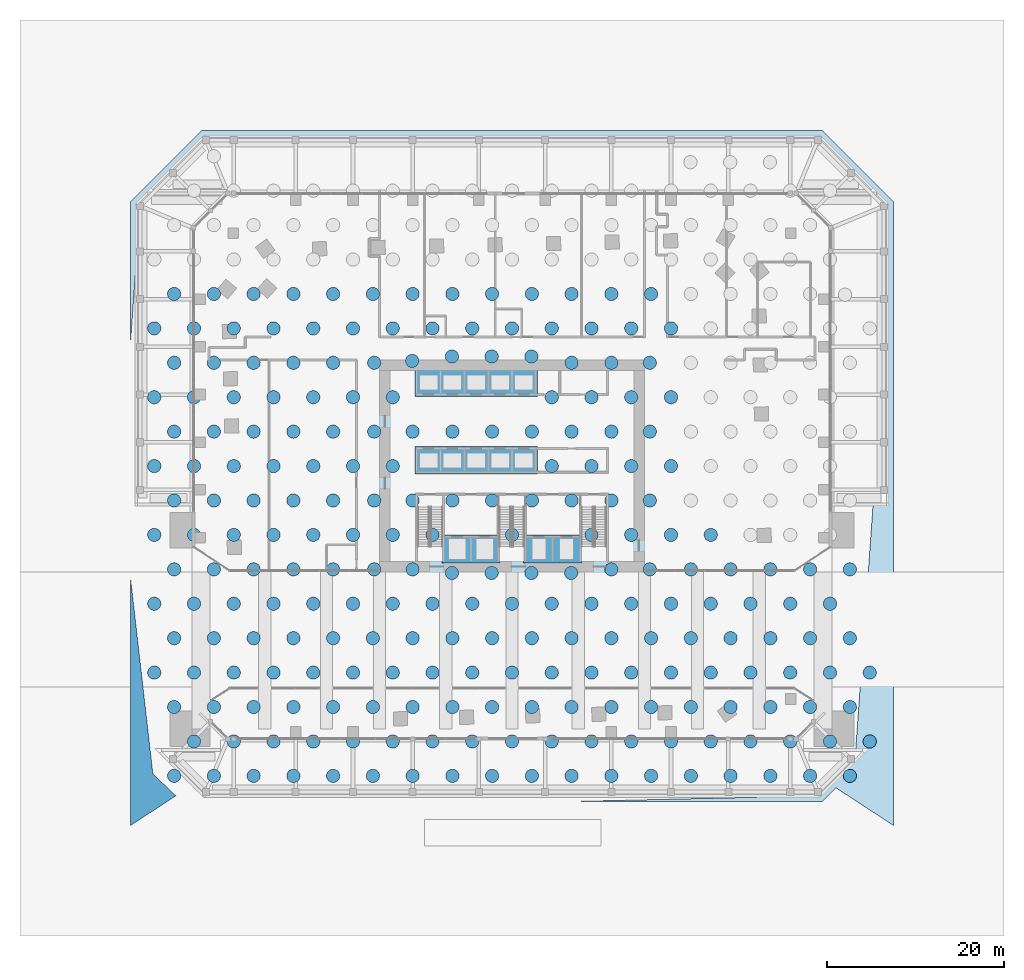
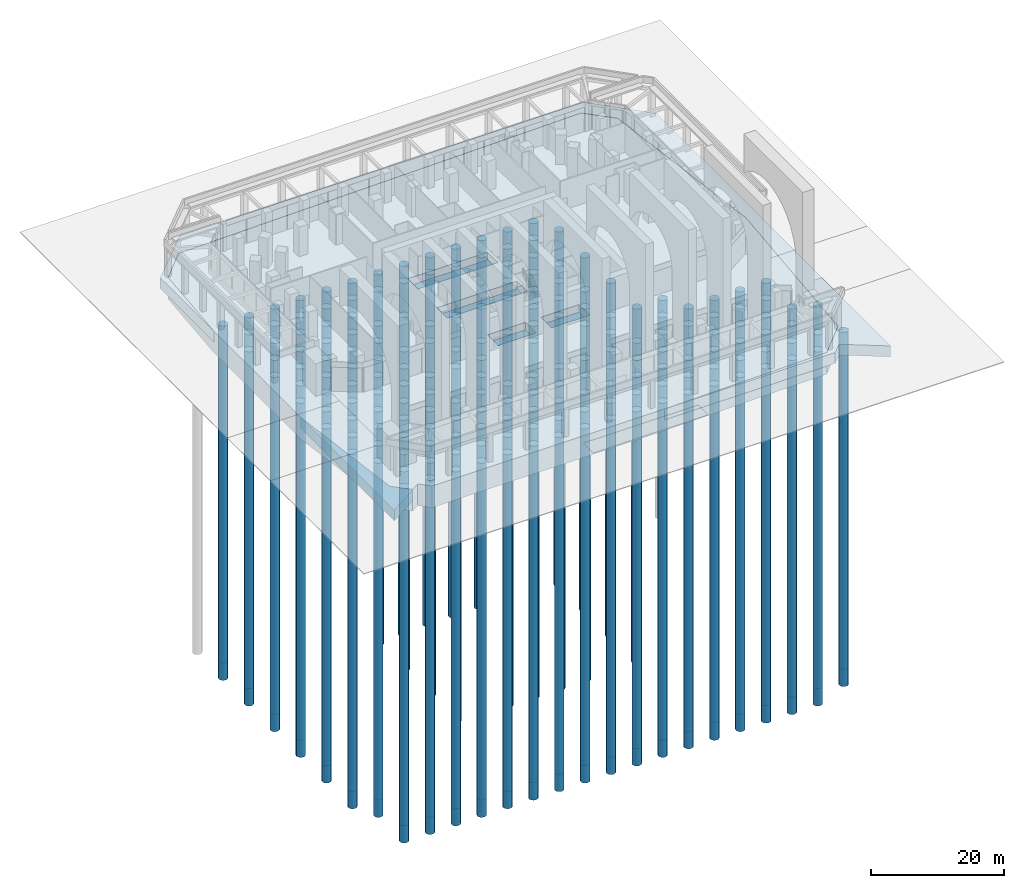
# One storey, part 1 of 46: 228 piles, 7 footings.
"""IFC4 building model written with IfcOpenShell, lengths in metres."""

from ifc_helpers import new_model, si_unit, direction, frame, origin, origin_2d, place, context, subcontext, project, spatial, polyline, circle, outline, extrude, material, layer, layer_set, material_profile, profile_set, type_object, element, save


model = new_model("IFC4")

# Units and contexts
model_context = context("Model", 3, precision=1e-05, world=origin(), true_north=direction((0.0, 1.0)))
body_context = subcontext(model_context, "Body", "Model", "MODEL_VIEW")
ifc_project = project(units=[si_unit("LENGTHUNIT", "METRE"), si_unit("AREAUNIT", "SQUARE_METRE"), si_unit("VOLUMEUNIT", "CUBIC_METRE"), si_unit("PLANEANGLEUNIT", "RADIAN"), si_unit("MASSUNIT", "GRAM", prefix="KILO")], contexts=[model_context])

# Site, building, storey
site_placement = place(None, origin())
site = spatial("IfcSite", under=ifc_project, at=site_placement, CompositionType="ELEMENT")
building_placement = place(site_placement, origin())
building = spatial("IfcBuilding", under=site, at=building_placement, Name="Mangrove Gate Tower", CompositionType="ELEMENT")
storey_placement = place(building_placement, origin())
storey = spatial("IfcBuildingStorey", under=building, at=storey_placement, Name="L00", CompositionType="ELEMENT", Elevation=0.0)

# Piles
ifc_material_1 = material(Name="Concrete C40/50", Category="concrete")
ifc_material_profile = material_profile(ifc_material_1, circle(Radius=0.75, at=origin_2d()))
ifc_profile_set = profile_set([ifc_material_profile], Name="Concrete C40/50")
pile_type = type_object("IfcPileType", Name="Bored pile D1500 C40/50", PredefinedType="BORED", material=ifc_profile_set)
for number, where, z_axis, x_axis, name in (
    (1, (-38.25, -35.073974609375, -4.14990234375), (0.0, 0.0, -1.0), (1.0, 0.0, 0.0), "Bored pile T091091"),
    (2, (-33.75, -35.073974609375, -4.14990234375), (0.0, 0.0, -1.0), (1.0, 0.0, 0.0), "Bored pile T092091"),
    (3, (-29.25, -35.073974609375, -4.14990234375), (0.0, 0.0, -1.0), (1.0, 0.0, 0.0), "Bored pile T093091"),
    (4, (-24.75, -35.073974609375, -4.14990234375), (0.0, 0.0, -1.0), (1.0, 0.0, 0.0), "Bored pile T094091"),
    (5, (-20.25, -35.073974609375, -4.14990234375), (0.0, 0.0, -1.0), (1.0, 0.0, 0.0), "Bored pile T095091"),
    (6, (-15.75, -35.073974609375, -4.14990234375), (0.0, 0.0, -1.0), (1.0, 0.0, 0.0), "Bored pile T096091"),
    (7, (-11.25, -35.073974609375, -4.14990234375), (0.0, 0.0, -1.0), (1.0, 0.0, 0.0), "Bored pile T097091"),
    (8, (-6.75, -35.073974609375, -4.14990234375), (0.0, 0.0, -1.0), (1.0, 0.0, 0.0), "Bored pile T098091"),
    (9, (-2.25, -35.073974609375, -4.14990234375), (0.0, 0.0, -1.0), (1.0, 0.0, 0.0), "Bored pile T099091"),
    (10, (2.25, -35.073974609375, -4.14990234375), (0.0, 0.0, -1.0), (1.0, 0.0, 0.0), "Bored pile T100091"),
    (11, (6.75, -35.073974609375, -4.14990234375), (0.0, 0.0, -1.0), (1.0, 0.0, 0.0), "Bored pile T101091"),
    (12, (11.25, -35.073974609375, -4.14990234375), (0.0, 0.0, -1.0), (1.0, 0.0, 0.0), "Bored pile T102091"),
    (13, (15.75, -35.073974609375, -4.14990234375), (0.0, 0.0, -1.0), (1.0, 0.0, 0.0), "Bored pile T103091"),
    (14, (20.25, -35.073974609375, -4.14990234375), (0.0, 0.0, -1.0), (1.0, 0.0, 0.0), "Bored pile T104091"),
    (15, (24.75, -35.073974609375, -4.14990234375), (0.0, 0.0, -1.0), (1.0, 0.0, 0.0), "Bored pile T105091"),
    (16, (29.25, -35.073974609375, -4.14990234375), (0.0, 0.0, -1.0), (1.0, 0.0, 0.0), "Bored pile T106091"),
    (17, (33.75, -35.073974609375, -4.14990234375), (0.0, 0.0, -1.0), (1.0, 0.0, 0.0), "Bored pile T107091"),
    (18, (-36.0, -31.177001953125, -4.14990234375), (0.0, 0.0, -1.0), (1.0, 0.0, 0.0), "Bored pile T092092"),
    (19, (-31.5, -31.177001953125, -4.14990234375), (0.0, 0.0, -1.0), (1.0, 0.0, 0.0), "Bored pile T093092"),
    (20, (-27.0, -31.177001953125, -4.14990234375), (0.0, 0.0, -1.0), (1.0, 0.0, 0.0), "Bored pile T094092"),
    (21, (-22.5, -31.177001953125, -4.14990234375), (0.0, 0.0, -1.0), (1.0, 0.0, 0.0), "Bored pile T095092"),
    (22, (-18.0, -31.177001953125, -4.14990234375), (0.0, 0.0, -1.0), (1.0, 0.0, 0.0), "Bored pile T096092"),
    (23, (-13.5, -31.177001953125, -4.14990234375), (0.0, 0.0, -1.0), (1.0, 0.0, 0.0), "Bored pile T097092"),
    (24, (-9.0, -31.177001953125, -4.14990234375), (0.0, 0.0, -1.0), (1.0, 0.0, 0.0), "Bored pile T098092"),
    (25, (-4.5, -31.177001953125, -4.14990234375), (0.0, 0.0, -1.0), (1.0, 0.0, 0.0), "Bored pile T099092"),
    (26, (0.0, -31.177001953125, -4.14990234375), (0.0, 0.0, -1.0), (1.0, 0.0, 0.0), "Bored pile T100092"),
    (27, (4.5, -31.177001953125, -4.14990234375), (0.0, 0.0, -1.0), (1.0, 0.0, 0.0), "Bored pile T101092"),
    (28, (9.0, -31.177001953125, -4.14990234375), (0.0, 0.0, -1.0), (1.0, 0.0, 0.0), "Bored pile T102092"),
    (29, (13.5, -31.177001953125, -4.14990234375), (0.0, 0.0, -1.0), (1.0, 0.0, 0.0), "Bored pile T103092"),
    (30, (18.0, -31.177001953125, -4.14990234375), (0.0, 0.0, -1.0), (1.0, 0.0, 0.0), "Bored pile T104092"),
    (31, (22.5, -31.177001953125, -4.14990234375), (0.0, 0.0, -1.0), (1.0, 0.0, 0.0), "Bored pile T105092"),
    (32, (27.0, -31.177001953125, -4.14990234375), (0.0, 0.0, -1.0), (1.0, 0.0, 0.0), "Bored pile T106092"),
    (33, (31.5, -31.177001953125, -4.14990234375), (0.0, 0.0, -1.0), (1.0, 0.0, 0.0), "Bored pile T107092"),
    (34, (36.0, -31.177001953125, -4.14990234375), (0.0, 0.0, -1.0), (1.0, 0.0, 0.0), "Bored pile T108092"),
    (35, (-38.25, -27.27978515625, -4.14990234375), (0.0, 0.0, -1.0), (1.0, 0.0, 0.0), "Bored pile T091093"),
    (36, (-33.75, -27.27978515625, -4.14990234375), (0.0, 0.0, -1.0), (1.0, 0.0, 0.0), "Bored pile T092093"),
    (37, (-29.25, -27.27978515625, -4.14990234375), (0.0, 0.0, -1.0), (1.0, 0.0, 0.0), "Bored pile T093093"),
    (38, (-24.75, -27.27978515625, -4.14990234375), (0.0, 0.0, -1.0), (1.0, 0.0, 0.0), "Bored pile T094093"),
    (39, (-20.25, -27.27978515625, -4.14990234375), (0.0, 0.0, -1.0), (1.0, 0.0, 0.0), "Bored pile T095093"),
    (40, (-15.75, -27.27978515625, -4.14990234375), (0.0, 0.0, -1.0), (1.0, 0.0, 0.0), "Bored pile T096093"),
    (41, (-11.25, -27.27978515625, -4.14990234375), (0.0, 0.0, -1.0), (1.0, 0.0, 0.0), "Bored pile T097093"),
    (42, (-6.75, -27.27978515625, -4.14990234375), (0.0, 0.0, -1.0), (1.0, 0.0, 0.0), "Bored pile T098093"),
    (43, (-2.25, -27.27978515625, -4.14990234375), (0.0, 0.0, -1.0), (1.0, 0.0, 0.0), "Bored pile T099093"),
    (44, (2.25, -27.27978515625, -4.14990234375), (0.0, 0.0, -1.0), (1.0, 0.0, 0.0), "Bored pile T100093"),
    (45, (6.75, -27.27978515625, -4.14990234375), (0.0, 0.0, -1.0), (1.0, 0.0, 0.0), "Bored pile T101093"),
    (46, (11.25, -27.27978515625, -4.14990234375), (0.0, 0.0, -1.0), (1.0, 0.0, 0.0), "Bored pile T102093"),
    (47, (15.75, -27.27978515625, -4.14990234375), (0.0, 0.0, -1.0), (1.0, 0.0, 0.0), "Bored pile T103093"),
    (48, (20.25, -27.27978515625, -4.14990234375), (0.0, 0.0, -1.0), (1.0, 0.0, 0.0), "Bored pile T104093"),
    (49, (24.75, -27.27978515625, -4.14990234375), (0.0, 0.0, -1.0), (1.0, 0.0, 0.0), "Bored pile T105093"),
    (50, (29.25, -27.27978515625, -4.14990234375), (0.0, 0.0, -1.0), (1.0, 0.0, 0.0), "Bored pile T106093"),
    (51, (33.75, -27.27978515625, -4.14990234375), (0.0, 0.0, -1.0), (1.0, 0.0, 0.0), "Bored pile T107093"),
    (52, (38.25, -27.27978515625, -4.14990234375), (0.0, 0.0, -1.0), (1.0, 0.0, 0.0), "Bored pile T108093"),
    (53, (-40.5, -23.382568359375, -4.14990234375), (0.0, 0.0, -1.0), (1.0, 0.0, 0.0), "Bored pile T091094"),
    (54, (-36.0, -23.382568359375, -4.14990234375), (0.0, 0.0, -1.0), (1.0, 0.0, 0.0), "Bored pile T092094"),
    (55, (-31.5, -23.382568359375, -4.14990234375), (0.0, 0.0, -1.0), (1.0, 0.0, 0.0), "Bored pile T093094"),
    (56, (-27.0, -23.382568359375, -4.14990234375), (0.0, 0.0, -1.0), (1.0, 0.0, 0.0), "Bored pile T094094"),
    (57, (-22.5, -23.382568359375, -4.14990234375), (0.0, 0.0, -1.0), (1.0, 0.0, 0.0), "Bored pile T095094"),
    (58, (-18.0, -23.382568359375, -4.14990234375), (0.0, 0.0, -1.0), (1.0, 0.0, 0.0), "Bored pile T096094"),
    (59, (-13.5, -23.382568359375, -4.14990234375), (0.0, 0.0, -1.0), (1.0, 0.0, 0.0), "Bored pile T097094"),
    (60, (-9.0, -23.382568359375, -4.14990234375), (0.0, 0.0, -1.0), (1.0, 0.0, 0.0), "Bored pile T098094"),
    (61, (-4.5, -23.382568359375, -4.14990234375), (0.0, 0.0, -1.0), (1.0, 0.0, 0.0), "Bored pile T099094"),
    (62, (0.0, -23.382568359375, -4.14990234375), (0.0, 0.0, -1.0), (1.0, 0.0, 0.0), "Bored pile T100094"),
    (63, (4.5, -23.382568359375, -4.14990234375), (0.0, 0.0, -1.0), (1.0, 0.0, 0.0), "Bored pile T101094"),
    (64, (9.0, -23.382568359375, -4.14990234375), (0.0, 0.0, -1.0), (1.0, 0.0, 0.0), "Bored pile T102094"),
    (65, (13.5, -23.382568359375, -4.14990234375), (0.0, 0.0, -1.0), (1.0, 0.0, 0.0), "Bored pile T103094"),
    (66, (18.0, -23.382568359375, -4.14990234375), (0.0, 0.0, -1.0), (1.0, 0.0, 0.0), "Bored pile T104094"),
    (67, (22.5, -23.382568359375, -4.14990234375), (0.0, 0.0, -1.0), (1.0, 0.0, 0.0), "Bored pile T105094"),
    (68, (27.0, -23.382568359375, -4.14990234375), (0.0, 0.0, -1.0), (1.0, 0.0, 0.0), "Bored pile T106094"),
    (69, (31.5, -23.382568359375, -4.14990234375), (0.0, 0.0, -1.0), (1.0, 0.0, 0.0), "Bored pile T107094"),
    (70, (36.0, -23.382568359375, -4.14990234375), (0.0, 0.0, -1.0), (1.0, 0.0, 0.0), "Bored pile T108094"),
    (71, (-38.25, -19.485595703125, -4.14990234375), (0.0, 0.0, -1.0), (1.0, 0.0, 0.0), "Bored pile T091095"),
    (72, (-33.75, -19.485595703125, -4.14990234375), (0.0, 0.0, -1.0), (1.0, 0.0, 0.0), "Bored pile T092095"),
    (73, (-29.25, -19.485595703125, -4.14990234375), (0.0, 0.0, -1.0), (1.0, 0.0, 0.0), "Bored pile T093095"),
    (74, (-24.75, -19.485595703125, -4.14990234375), (0.0, 0.0, -1.0), (1.0, 0.0, 0.0), "Bored pile T094095"),
    (75, (-20.25, -19.485595703125, -4.14990234375), (0.0, 0.0, -1.0), (1.0, 0.0, 0.0), "Bored pile T095095"),
    (76, (-15.75, -19.485595703125, -4.14990234375), (0.0, 0.0, -1.0), (1.0, 0.0, 0.0), "Bored pile T096095"),
    (77, (-11.25, -19.485595703125, -4.14990234375), (0.0, 0.0, -1.0), (1.0, 0.0, 0.0), "Bored pile T097095"),
    (78, (-6.75, -19.485595703125, -4.14990234375), (0.0, 0.0, -1.0), (1.0, 0.0, 0.0), "Bored pile T098095"),
    (79, (-2.25, -19.485595703125, -4.14990234375), (0.0, 0.0, -1.0), (1.0, 0.0, 0.0), "Bored pile T099095"),
    (80, (2.25, -19.485595703125, -4.14990234375), (0.0, 0.0, -1.0), (1.0, 0.0, 0.0), "Bored pile T100095"),
    (81, (6.75, -19.485595703125, -4.14990234375), (0.0, 0.0, -1.0), (1.0, 0.0, 0.0), "Bored pile T101095"),
    (82, (11.25, -19.485595703125, -4.14990234375), (0.0, 0.0, -1.0), (1.0, 0.0, 0.0), "Bored pile T102095"),
    (83, (15.75, -19.485595703125, -4.14990234375), (0.0, 0.0, -1.0), (1.0, 0.0, 0.0), "Bored pile T103095"),
    (84, (20.25, -19.485595703125, -4.14990234375), (0.0, 0.0, -1.0), (1.0, 0.0, 0.0), "Bored pile T104095"),
    (85, (24.75, -19.485595703125, -4.14990234375), (0.0, 0.0, -1.0), (1.0, 0.0, 0.0), "Bored pile T105095"),
    (86, (29.25, -19.485595703125, -4.14990234375), (0.0, 0.0, -1.0), (1.0, 0.0, 0.0), "Bored pile T106095"),
    (87, (33.75, -19.485595703125, -4.14990234375), (0.0, 0.0, -1.0), (1.0, 0.0, 0.0), "Bored pile T107095"),
    (88, (38.25, -19.485595703125, -4.14990234375), (0.0, 0.0, -1.0), (1.0, 0.0, 0.0), "Bored pile T108095"),
    (89, (-40.5, -15.58837890625, -4.14990234375), (0.0, 0.0, -1.0), (1.0, 0.0, 0.0), "Bored pile T091096"),
    (90, (-36.0, -15.58837890625, -4.14990234375), (0.0, 0.0, -1.0), (1.0, 0.0, 0.0), "Bored pile T092096"),
    (91, (-31.5, -15.58837890625, -4.14990234375), (0.0, 0.0, -1.0), (1.0, 0.0, 0.0), "Bored pile T093096"),
    (92, (-27.0, -15.58837890625, -4.14990234375), (0.0, 0.0, -1.0), (1.0, 0.0, 0.0), "Bored pile T094096"),
    (93, (-22.5, -15.58837890625, -4.14990234375), (0.0, 0.0, -1.0), (1.0, 0.0, 0.0), "Bored pile T095096"),
    (94, (-18.0, -15.58837890625, -4.14990234375), (0.0, 0.0, -1.0), (1.0, 0.0, 0.0), "Bored pile T096096"),
    (95, (-13.5, -15.58837890625, -4.14990234375), (0.0, 0.0, -1.0), (1.0, 0.0, 0.0), "Bored pile T097096"),
    (96, (-9.0, -15.58837890625, -4.14990234375), (0.0, 0.0, -1.0), (1.0, 0.0, 0.0), "Bored pile T098096"),
    (97, (-4.5, -15.58837890625, -4.14990234375), (0.0, 0.0, -1.0), (1.0, 0.0, 0.0), "Bored pile T099096"),
    (98, (0.0, -15.58837890625, -4.14990234375), (0.0, 0.0, -1.0), (1.0, 0.0, 0.0), "Bored pile T100096"),
    (99, (4.5, -15.58837890625, -4.14990234375), (0.0, 0.0, -1.0), (1.0, 0.0, 0.0), "Bored pile T101096"),
    (100, (9.0, -15.58837890625, -4.14990234375), (0.0, 0.0, -1.0), (1.0, 0.0, 0.0), "Bored pile T102096"),
    (101, (13.5, -15.58837890625, -4.14990234375), (0.0, 0.0, -1.0), (1.0, 0.0, 0.0), "Bored pile T103096"),
    (102, (18.0, -15.58837890625, -4.14990234375), (0.0, 0.0, -1.0), (1.0, 0.0, 0.0), "Bored pile T104096"),
    (103, (22.5, -15.58837890625, -4.14990234375), (0.0, 0.0, -1.0), (1.0, 0.0, 0.0), "Bored pile T105096"),
    (104, (27.0, -15.58837890625, -4.14990234375), (0.0, 0.0, -1.0), (1.0, 0.0, 0.0), "Bored pile T106096"),
    (105, (31.5, -15.58837890625, -4.14990234375), (0.0, 0.0, -1.0), (1.0, 0.0, 0.0), "Bored pile T107096"),
    (106, (36.0, -15.58837890625, -4.14990234375), (0.0, 0.0, -1.0), (1.0, 0.0, 0.0), "Bored pile T108096"),
    (107, (-38.25, -11.69140625, -4.14990234375), (0.0, 0.0, -1.0), (1.0, 0.0, 0.0), "Bored pile T091097"),
    (108, (-33.75, -11.69140625, -4.14990234375), (0.0, 0.0, -1.0), (1.0, 0.0, 0.0), "Bored pile T092097"),
    (109, (-29.25, -11.69140625, -4.14990234375), (0.0, 0.0, -1.0), (1.0, 0.0, 0.0), "Bored pile T093097"),
    (110, (-24.75, -11.69140625, -4.14990234375), (0.0, 0.0, -1.0), (1.0, 0.0, 0.0), "Bored pile T094097"),
    (111, (-20.25, -11.69140625, -4.14990234375), (0.0, 0.0, -1.0), (1.0, 0.0, 0.0), "Bored pile T095097"),
    (112, (-15.60009765625, -11.69140625, -4.14990234375), (0.0, 0.0, -1.0), (1.0, 0.0, 0.0), "Bored pile T096097"),
    (113, (-11.25, -11.69140625, -4.14990234375), (0.0, 0.0, -1.0), (1.0, 0.0, 0.0), "Bored pile T097097"),
    (114, (11.25, -11.69140625, -4.14990234375), (0.0, 0.0, -1.0), (1.0, 0.0, 0.0), "Bored pile T102097"),
    (115, (15.60009765625, -11.69140625, -4.14990234375), (0.0, 0.0, -1.0), (1.0, 0.0, 0.0), "Bored pile T103097"),
    (116, (20.25, -11.69140625, -4.14990234375), (0.0, 0.0, -1.0), (1.0, 0.0, 0.0), "Bored pile T104097"),
    (117, (24.75, -11.69140625, -4.14990234375), (0.0, 0.0, -1.0), (1.0, 0.0, 0.0), "Bored pile T105097"),
    (118, (29.25, -11.69140625, -4.14990234375), (0.0, 0.0, -1.0), (1.0, 0.0, 0.0), "Bored pile T106097"),
    (119, (33.75, -11.69140625, -4.14990234375), (0.0, 0.0, -1.0), (1.0, 0.0, 0.0), "Bored pile T107097"),
    (120, (38.25, -11.69140625, -4.14990234375), (0.0, 0.0, -1.0), (1.0, 0.0, 0.0), "Bored pile T108097"),
    (121, (-40.5, -7.794189453125, -4.14990234375), (0.0, 0.0, -1.0), (1.0, 0.0, 0.0), "Bored pile T091098"),
    (122, (-36.0, -7.794189453125, -4.14990234375), (0.0, 0.0, -1.0), (1.0, 0.0, 0.0), "Bored pile T092098"),
    (123, (-31.5, -7.794189453125, -4.14990234375), (0.0, 0.0, -1.0), (1.0, 0.0, 0.0), "Bored pile T093098"),
    (124, (-27.0, -7.794189453125, -4.14990234375), (0.0, 0.0, -1.0), (1.0, 0.0, 0.0), "Bored pile T094098"),
    (125, (-22.5, -7.794189453125, -4.14990234375), (0.0, 0.0, -1.0), (1.0, 0.0, 0.0), "Bored pile T095098"),
    (126, (-18.0, -7.794189453125, -4.14990234375), (0.0, 0.0, -1.0), (1.0, 0.0, 0.0), "Bored pile T096098"),
    (127, (-13.5, -7.794189453125, -4.14990234375), (0.0, 0.0, -1.0), (1.0, 0.0, 0.0), "Bored pile T097098"),
    (128, (-9.0, -7.794189453125, -4.14990234375), (0.0, 0.0, -1.0), (1.0, 0.0, 0.0), "Bored pile T098098"),
    (129, (0.0, -7.794189453125, -4.14990234375), (0.0, 0.0, -1.0), (1.0, 0.0, 0.0), "Bored pile T100098"),
    (130, (9.0, -7.794189453125, -4.14990234375), (0.0, 0.0, -1.0), (1.0, 0.0, 0.0), "Bored pile T102098"),
    (131, (13.5, -7.794189453125, -4.14990234375), (0.0, 0.0, -1.0), (1.0, 0.0, 0.0), "Bored pile T103098"),
    (132, (18.0, -7.794189453125, -4.14990234375), (0.0, 0.0, -1.0), (1.0, 0.0, 0.0), "Bored pile T104098"),
    (133, (22.5, -7.794189453125, -4.14990234375), (0.0, 0.0, -1.0), (1.0, 0.0, 0.0), "Bored pile T105098"),
    (134, (-38.25, -3.897216796875, -4.14990234375), (0.0, 0.0, -1.0), (1.0, 0.0, 0.0), "Bored pile T091099"),
    (135, (-33.75, -3.897216796875, -4.14990234375), (0.0, 0.0, -1.0), (1.0, 0.0, 0.0), "Bored pile T092099"),
    (136, (-29.25, -3.897216796875, -4.14990234375), (0.0, 0.0, -1.0), (1.0, 0.0, 0.0), "Bored pile T093099"),
    (137, (-24.75, -3.897216796875, -4.14990234375), (0.0, 0.0, -1.0), (1.0, 0.0, 0.0), "Bored pile T094099"),
    (138, (-20.25, -3.897216796875, -4.14990234375), (0.0, 0.0, -1.0), (1.0, 0.0, 0.0), "Bored pile T095099"),
    (139, (-15.60009765625, -3.897216796875, -4.14990234375), (0.0, 0.0, -1.0), (1.0, 0.0, 0.0), "Bored pile T096099"),
    (140, (-11.25, -3.897216796875, -4.14990234375), (0.0, 0.0, -1.0), (1.0, 0.0, 0.0), "Bored pile T097099"),
    (141, (-6.75, -3.897216796875, -4.14990234375), (0.0, 0.0, -1.0), (1.0, 0.0, 0.0), "Bored pile T098099"),
    (142, (-2.25, -3.897216796875, -4.14990234375), (0.0, 0.0, -1.0), (1.0, 0.0, 0.0), "Bored pile T099099"),
    (143, (2.25, -3.897216796875, -4.14990234375), (0.0, 0.0, -1.0), (1.0, 0.0, 0.0), "Bored pile T100099"),
    (144, (6.75, -3.897216796875, -4.14990234375), (0.0, 0.0, -1.0), (1.0, 0.0, 0.0), "Bored pile T101099"),
    (145, (11.25, -3.897216796875, -4.14990234375), (0.0, 0.0, -1.0), (1.0, 0.0, 0.0), "Bored pile T102099"),
    (146, (15.60009765625, -3.897216796875, -4.14990234375), (0.0, 0.0, -1.0), (1.0, 0.0, 0.0), "Bored pile T103099"),
    (147, (-40.5, 0.0, -4.14990234375), (0.0, 0.0, -1.0), (1.0, 0.0, 0.0), "Bored pile T091100"),
    (148, (-36.0, 0.0, -4.14990234375), (0.0, 0.0, -1.0), (1.0, 0.0, 0.0), "Bored pile T092100"),
    (149, (-31.5, 0.0, -4.14990234375), (0.0, 0.0, -1.0), (1.0, 0.0, 0.0), "Bored pile T093100"),
    (150, (-27.0, 0.0, -4.14990234375), (0.0, 0.0, -1.0), (1.0, 0.0, 0.0), "Bored pile T094100"),
    (151, (-22.5, 0.0, -4.14990234375), (0.0, 0.0, -1.0), (1.0, 0.0, 0.0), "Bored pile T095100"),
    (152, (-18.0, 0.0, -4.14990234375), (0.0, 0.0, -1.0), (1.0, 0.0, 0.0), "Bored pile T096100"),
    (153, (-13.5, 0.0, -4.14990234375), (0.0, 0.0, -1.0), (1.0, 0.0, 0.0), "Bored pile T097100"),
    (154, (4.5, 0.0, -4.14990234375), (0.0, 0.0, -1.0), (1.0, 0.0, 0.0), "Bored pile T101100"),
    (155, (9.0, 0.0, -4.14990234375), (0.0, 0.0, -1.0), (1.0, 0.0, 0.0), "Bored pile T102100"),
    (156, (13.5, 0.0, -4.14990234375), (0.0, 0.0, -1.0), (1.0, 0.0, 0.0), "Bored pile T103100"),
    (157, (18.0, 0.0, -4.14990234375), (0.0, 0.0, -1.0), (1.0, 0.0, 0.0), "Bored pile T104100"),
    (158, (-38.25, 3.897216796875, -4.14990234375), (0.0, 0.0, -1.0), (1.0, 0.0, 0.0), "Bored pile T091101"),
    (159, (-33.75, 3.897216796875, -4.14990234375), (0.0, 0.0, -1.0), (1.0, 0.0, 0.0), "Bored pile T092101"),
    (160, (-29.25, 3.897216796875, -4.14990234375), (0.0, 0.0, -1.0), (1.0, 0.0, 0.0), "Bored pile T093101"),
    (161, (-24.75, 3.897216796875, -4.14990234375), (0.0, 0.0, -1.0), (1.0, 0.0, 0.0), "Bored pile T094101"),
    (162, (-20.25, 3.897216796875, -4.14990234375), (0.0, 0.0, -1.0), (1.0, 0.0, 0.0), "Bored pile T095101"),
    (163, (-15.60009765625, 3.897216796875, -4.14990234375), (0.0, 0.0, -1.0), (1.0, 0.0, 0.0), "Bored pile T096101"),
    (164, (-11.25, 3.897216796875, -4.14990234375), (0.0, 0.0, -1.0), (1.0, 0.0, 0.0), "Bored pile T097101"),
    (165, (-6.75, 3.897216796875, -4.14990234375), (0.0, 0.0, -1.0), (1.0, 0.0, 0.0), "Bored pile T098101"),
    (166, (-2.25, 3.897216796875, -4.14990234375), (0.0, 0.0, -1.0), (1.0, 0.0, 0.0), "Bored pile T099101"),
    (167, (2.25, 3.897216796875, -4.14990234375), (0.0, 0.0, -1.0), (1.0, 0.0, 0.0), "Bored pile T100101"),
    (168, (6.75, 3.897216796875, -4.14990234375), (0.0, 0.0, -1.0), (1.0, 0.0, 0.0), "Bored pile T101101"),
    (169, (11.25, 3.897216796875, -4.14990234375), (0.0, 0.0, -1.0), (1.0, 0.0, 0.0), "Bored pile T102101"),
    (170, (15.60009765625, 3.897216796875, -4.14990234375), (0.0, 0.0, -1.0), (1.0, 0.0, 0.0), "Bored pile T103101"),
    (171, (-40.5, 7.794189453125, -4.14990234375), (0.0, 0.0, -1.0), (1.0, 0.0, 0.0), "Bored pile T091102"),
    (172, (-36.0, 7.794189453125, -4.14990234375), (0.0, 0.0, -1.0), (1.0, 0.0, 0.0), "Bored pile T092102"),
    (173, (-31.5, 7.794189453125, -4.14990234375), (0.0, 0.0, -1.0), (1.0, 0.0, 0.0), "Bored pile T093102"),
    (174, (-27.0, 7.794189453125, -4.14990234375), (0.0, 0.0, -1.0), (1.0, 0.0, 0.0), "Bored pile T094102"),
    (175, (-22.5, 7.794189453125, -4.14990234375), (0.0, 0.0, -1.0), (1.0, 0.0, 0.0), "Bored pile T095102"),
    (176, (-18.0, 7.794189453125, -4.14990234375), (0.0, 0.0, -1.0), (1.0, 0.0, 0.0), "Bored pile T096102"),
    (177, (-13.5, 7.794189453125, -4.14990234375), (0.0, 0.0, -1.0), (1.0, 0.0, 0.0), "Bored pile T097102"),
    (178, (4.5, 7.794189453125, -4.14990234375), (0.0, 0.0, -1.0), (1.0, 0.0, 0.0), "Bored pile T101102"),
    (179, (9.0, 7.794189453125, -4.14990234375), (0.0, 0.0, -1.0), (1.0, 0.0, 0.0), "Bored pile T102102"),
    (180, (13.5, 7.794189453125, -4.14990234375), (0.0, 0.0, -1.0), (1.0, 0.0, 0.0), "Bored pile T103102"),
    (181, (18.0, 7.794189453125, -4.14990234375), (0.0, 0.0, -1.0), (1.0, 0.0, 0.0), "Bored pile T104102"),
    (182, (-38.25, 11.69140625, -4.14990234375), (0.0, 0.0, -1.0), (1.0, 0.0, 0.0), "Bored pile T091103"),
    (183, (-33.75, 11.69140625, -4.14990234375), (0.0, 0.0, -1.0), (1.0, 0.0, 0.0), "Bored pile T092103"),
    (184, (-29.25, 11.69140625, -4.14990234375), (0.0, 0.0, -1.0), (1.0, 0.0, 0.0), "Bored pile T093103"),
    (185, (-24.75, 11.69140625, -4.14990234375), (0.0, 0.0, -1.0), (1.0, 0.0, 0.0), "Bored pile T094103"),
    (186, (-20.25, 11.69140625, -4.14990234375), (0.0, 0.0, -1.0), (1.0, 0.0, 0.0), "Bored pile T095103"),
    (187, (-15.60009765625, 11.69140625, -4.14990234375), (0.0, 0.0, -1.0), (1.0, 0.0, 0.0), "Bored pile T096103"),
    (188, (6.75, 11.69140625, -4.14990234375), (0.0, 0.0, -1.0), (1.0, 0.0, 0.0), "Bored pile T101103"),
    (189, (11.25, 11.69140625, -4.14990234375), (0.0, 0.0, -1.0), (1.0, 0.0, 0.0), "Bored pile T102103"),
    (190, (15.60009765625, 11.69140625, -4.14990234375), (0.0, 0.0, -1.0), (1.0, 0.0, 0.0), "Bored pile T103103"),
    (191, (-40.5, 15.58837890625, -4.14990234375), (0.0, 0.0, -1.0), (1.0, 0.0, 0.0), "Bored pile T091104"),
    (192, (-36.0, 15.58837890625, -4.14990234375), (0.0, 0.0, -1.0), (1.0, 0.0, 0.0), "Bored pile T092104"),
    (193, (-31.5, 15.58837890625, -4.14990234375), (0.0, 0.0, -1.0), (1.0, 0.0, 0.0), "Bored pile T093104"),
    (194, (-27.0, 15.58837890625, -4.14990234375), (0.0, 0.0, -1.0), (1.0, 0.0, 0.0), "Bored pile T094104"),
    (195, (-22.5, 15.58837890625, -4.14990234375), (0.0, 0.0, -1.0), (1.0, 0.0, 0.0), "Bored pile T095104"),
    (196, (-18.0, 15.58837890625, -4.14990234375), (0.0, 0.0, -1.0), (1.0, 0.0, 0.0), "Bored pile T096104"),
    (197, (-13.5, 15.58837890625, -4.14990234375), (0.0, 0.0, -1.0), (1.0, 0.0, 0.0), "Bored pile T097104"),
    (198, (-9.0, 15.58837890625, -4.14990234375), (0.0, 0.0, -1.0), (1.0, 0.0, 0.0), "Bored pile T098104"),
    (199, (-4.5, 15.58837890625, -4.14990234375), (0.0, 0.0, -1.0), (1.0, 0.0, 0.0), "Bored pile T099104"),
    (200, (0.0, 15.58837890625, -4.14990234375), (0.0, 0.0, -1.0), (1.0, 0.0, 0.0), "Bored pile T100104"),
    (201, (4.5, 15.58837890625, -4.14990234375), (0.0, 0.0, -1.0), (1.0, 0.0, 0.0), "Bored pile T101104"),
    (202, (9.0, 15.58837890625, -4.14990234375), (0.0, 0.0, -1.0), (1.0, 0.0, 0.0), "Bored pile T102104"),
    (203, (13.5, 15.58837890625, -4.14990234375), (0.0, 0.0, -1.0), (1.0, 0.0, 0.0), "Bored pile T103104"),
    (204, (18.0, 15.58837890625, -4.14990234375), (0.0, 0.0, -1.0), (1.0, 0.0, 0.0), "Bored pile T104104"),
    (205, (-38.25, 19.485595703125, -4.14990234375), (0.0, 0.0, -1.0), (1.0, 0.0, 0.0), "Bored pile T091105"),
    (206, (-33.75, 19.485595703125, -4.14990234375), (0.0, 0.0, -1.0), (1.0, 0.0, 0.0), "Bored pile T092105"),
    (207, (-29.25, 19.485595703125, -4.14990234375), (0.0, 0.0, -1.0), (1.0, 0.0, 0.0), "Bored pile T093105"),
    (208, (-24.75, 19.485595703125, -4.14990234375), (0.0, 0.0, -1.0), (1.0, 0.0, 0.0), "Bored pile T094105"),
    (209, (-20.25, 19.485595703125, -4.14990234375), (0.0, 0.0, -1.0), (1.0, 0.0, 0.0), "Bored pile T095105"),
    (210, (-15.75, 19.485595703125, -4.14990234375), (0.0, 0.0, -1.0), (1.0, 0.0, 0.0), "Bored pile T096105"),
    (211, (-11.25, 19.485595703125, -4.14990234375), (0.0, 0.0, -1.0), (1.0, 0.0, 0.0), "Bored pile T097105"),
    (212, (-6.75, 19.485595703125, -4.14990234375), (0.0, 0.0, -1.0), (1.0, 0.0, 0.0), "Bored pile T098105"),
    (213, (-2.25, 19.485595703125, -4.14990234375), (0.0, 0.0, -1.0), (1.0, 0.0, 0.0), "Bored pile T099105"),
    (214, (2.25, 19.485595703125, -4.14990234375), (0.0, 0.0, -1.0), (1.0, 0.0, 0.0), "Bored pile T100105"),
    (215, (6.75, 19.485595703125, -4.14990234375), (0.0, 0.0, -1.0), (1.0, 0.0, 0.0), "Bored pile T101105"),
    (216, (11.25, 19.485595703125, -4.14990234375), (0.0, 0.0, -1.0), (1.0, 0.0, 0.0), "Bored pile T102105"),
    (217, (15.75, 19.485595703125, -4.14990234375), (0.0, 0.0, -1.0), (1.0, 0.0, 0.0), "Bored pile T103105"),
    (218, (-11.300048828125, 11.89990234375, -4.14990234375), (0.0, 0.0, -1.0), (1.0, 0.0, 0.0), "Bored pile T750100"),
    (219, (-6.800048828125, -12.10009765625, -4.14990234375), (0.0, 0.0, -1.0), (1.0, 0.0, 0.0), "Bored pile T750101"),
    (220, (-2.300048828125, -12.10009765625, -4.14990234375), (0.0, 0.0, -1.0), (1.0, 0.0, 0.0), "Bored pile T750102"),
    (221, (2.199951171875, -12.10009765625, -4.14990234375), (0.0, 0.0, -1.0), (1.0, 0.0, 0.0), "Bored pile T750103"),
    (222, (6.699951171875, -12.10009765625, -4.14990234375), (0.0, 0.0, -1.0), (1.0, 0.0, 0.0), "Bored pile T750104"),
    (223, (-6.800048828125, 12.39990234375, -4.14990234375), (0.0, 0.0, -1.0), (1.0, 0.0, 0.0), "Bored pile T750109"),
    (224, (-2.300048828125, 12.39990234375, -4.14990234375), (0.0, 0.0, -1.0), (1.0, 0.0, 0.0), "Bored pile T750110"),
    (225, (2.199951171875, 12.39990234375, -4.14990234375), (0.0, 0.0, -1.0), (1.0, 0.0, 0.0), "Bored pile T750111"),
    (226, (38.25, -35.073974609375, -2.14990234375), (0.0, 0.0, -1.0), (1.0, 0.0, 0.0), "Bored pile P108091"),
    (227, (40.5, -31.177001953125, -2.14990234375), (0.0, 0.0, -1.0), (1.0, 0.0, 0.0), "Bored pile P109092"),
    (228, (40.5, -23.382568359375, -2.14990234375), (0.0, 0.0, -1.0), (1.0, 0.0, 0.0), "Bored pile P109094"),
):
    element("IfcPile", number, at=place(storey_placement, frame(where, z_axis=z_axis, x_axis=x_axis)), inside=storey, type_object=pile_type, Name=name, PredefinedType="BORED", context=body_context, shape_type="SweptSolid", body=[
        extrude(circle(Radius=0.75, at=origin_2d()), origin(), (0.0, 0.0, 1.0), 62.0),
    ])

# Footings
ifc_material_2 = material(Name="Concrete C45/55", Category="concrete")
ifc_layer_1 = layer(ifc_material_2, 2.60009765625)
ifc_layer_set_1 = layer_set([ifc_layer_1], Name="Piled raft pit zone 2600 C45/55")
footing_type_1 = type_object("IfcFootingType", Name="Piled raft pit zone 2600 C45/55", PredefinedType="PILE_CAP", material=ifc_layer_set_1)
footing_1_placement = place(storey_placement, frame((0.0, 0.0, -4.300048828125)))
element("IfcFooting", 229, at=footing_1_placement, inside=storey, type_object=footing_type_1, Name="Piled raft lift pit zone L1", PredefinedType="PILE_CAP", context=body_context, shape_type="SweptSolid", body=[
    extrude(outline(polyline([(-1.35009765625, -7.800048828125), (-7.949951171875, -7.800048828125), (-7.949951171875, -11.0), (-1.35009765625, -11.0), (-1.35009765625, -7.800048828125)])), origin(), (0.0, 0.0, 1.0), 2.60009765625),
])
footing_2_placement = place(storey_placement, frame((0.0, 0.0, -4.300048828125)))
element("IfcFooting", 230, at=footing_2_placement, inside=storey, type_object=footing_type_1, Name="Piled raft lift pit zone L2", PredefinedType="PILE_CAP", context=body_context, shape_type="SweptSolid", body=[
    extrude(outline(polyline([(2.89990234375, 2.199951171875), (-11.0, 2.199951171875), (-11.0, -0.89990234375), (2.89990234375, -0.89990234375), (2.89990234375, 2.199951171875)])), origin(), (0.0, 0.0, 1.0), 2.60009765625),
])
footing_3_placement = place(storey_placement, frame((0.0, 0.0, -4.300048828125)))
element("IfcFooting", 231, at=footing_3_placement, inside=storey, type_object=footing_type_1, Name="Piled raft lift pit zone L3", PredefinedType="PILE_CAP", context=body_context, shape_type="SweptSolid", body=[
    extrude(outline(polyline([(2.89990234375, 11.0), (-11.0, 11.0), (-11.0, 7.89990234375), (2.89990234375, 7.89990234375), (2.89990234375, 11.0)])), origin(), (0.0, 0.0, 1.0), 2.60009765625),
])
footing_4_placement = place(storey_placement, frame((0.0, 0.0, -4.300048828125)))
element("IfcFooting", 232, at=footing_4_placement, inside=storey, type_object=footing_type_1, Name="Piled raft lift pit zone L4", PredefinedType="PILE_CAP", context=body_context, shape_type="SweptSolid", body=[
    extrude(outline(polyline([(7.949951171875, -7.800048828125), (1.300048828125, -7.800048828125), (1.300048828125, -11.0), (7.949951171875, -11.0), (7.949951171875, -7.800048828125)])), origin(), (0.0, 0.0, 1.0), 2.60009765625),
])
ifc_material_3 = material(Name="Concrete C45/55", Category="concrete")
ifc_layer_2 = layer(ifc_material_3, 2.0)
ifc_layer_set_2 = layer_set([ifc_layer_2], Name="Piled raft under the podium 2000 C45/55")
footing_type_2 = type_object("IfcFootingType", Name="Piled raft under the podium 2000 C45/55", PredefinedType="PILE_CAP", material=ifc_layer_set_2)
footing_5_placement = place(storey_placement, frame((0.0, 0.0, -2.300048828125)))
element("IfcFooting", 233, at=footing_5_placement, inside=storey, type_object=footing_type_2, Name="Piled raft under the podium P1", PredefinedType="PILE_CAP", context=body_context, shape_type="SweptSolid", body=[
    extrude(outline(polyline([(-35.099609375, 38.0), (-43.199951171875, 29.8994140625), (-43.199951171875, 13.701171875), (-42.113525390625, 29.3388671875), (-37.619140625, 34.0419921875), (33.36279296875, 35.65283203125), (37.452392578125, 31.74462890625), (41.134033203125, -0.68017578125), (38.904296875, -32.239013671875), (34.01904296875, -37.35107421875), (5.424072265625, -38.0), (35.099609375, -38.0), (36.6728515625, -36.426513671875), (43.199951171875, -40.700439453125), (43.199951171875, 29.8994140625), (35.099609375, 38.0), (-35.099609375, 38.0)])), origin(), (0.0, 0.0, 1.0), 2.0),
])
footing_6_placement = place(storey_placement, frame((0.0, 0.0, -2.300048828125)))
element("IfcFooting", 234, at=footing_6_placement, inside=storey, type_object=footing_type_2, Name="Piled raft under the podium P2", PredefinedType="PILE_CAP", context=body_context, shape_type="SweptSolid", body=[
    extrude(outline(polyline([(-43.199951171875, -12.557861328125), (-43.199951171875, -40.700439453125), (-38.0546875, -37.331298828125), (-40.656982421875, -34.8447265625), (-43.199951171875, -12.557861328125)])), origin(), (0.0, 0.0, 1.0), 2.0),
])
ifc_material_4 = material(Name="Concrete C45/55", Category="concrete")
ifc_layer_3 = layer(ifc_material_4, 4.0)
ifc_layer_set_3 = layer_set([ifc_layer_3], Name="Piled raft under the tower 4000 C45/55")
footing_type_3 = type_object("IfcFootingType", Name="Piled raft under the tower 4000 C45/55", PredefinedType="PILE_CAP", material=ifc_layer_set_3)
footing_7_placement = place(storey_placement, frame((0.0, 0.0, -4.300048828125)))
element("IfcFooting", 235, at=footing_7_placement, inside=storey, type_object=footing_type_3, Name="Piled raft under the tower T1", PredefinedType="PILE_CAP", context=body_context, shape_type="SweptSolid", body=[
    extrude(outline(polyline([(-43.199951171875, 13.701171875), (-43.199951171875, -12.557861328125), (-40.656982421875, -34.8447265625), (-38.0546875, -37.331298828125), (-36.6728515625, -36.426513671875), (-35.099609375, -38.0), (5.424072265625, -38.0), (34.01904296875, -37.35107421875), (38.904296875, -32.239013671875), (41.134033203125, -0.68017578125), (37.452392578125, 31.74462890625), (33.36279296875, 35.65283203125), (-37.619140625, 34.0419921875), (-42.113525390625, 29.3388671875), (-43.199951171875, 13.701171875)]), holes=[polyline([(1.300048828125, -7.800048828125), (7.949951171875, -7.800048828125), (7.949951171875, -11.0), (1.300048828125, -11.0), (1.300048828125, -7.800048828125)]), polyline([(-11.0, 2.199951171875), (2.89990234375, 2.199951171875), (2.89990234375, -0.89990234375), (-11.0, -0.89990234375), (-11.0, 2.199951171875)]), polyline([(-11.0, 11.0), (2.89990234375, 11.0), (2.89990234375, 7.89990234375), (-11.0, 7.89990234375), (-11.0, 11.0)]), polyline([(-7.949951171875, -7.800048828125), (-1.35009765625, -7.800048828125), (-1.35009765625, -11.0), (-7.949951171875, -11.0), (-7.949951171875, -7.800048828125)])]), origin(), (0.0, 0.0, 1.0), 4.0),
])

save(model, "model.ifc")
